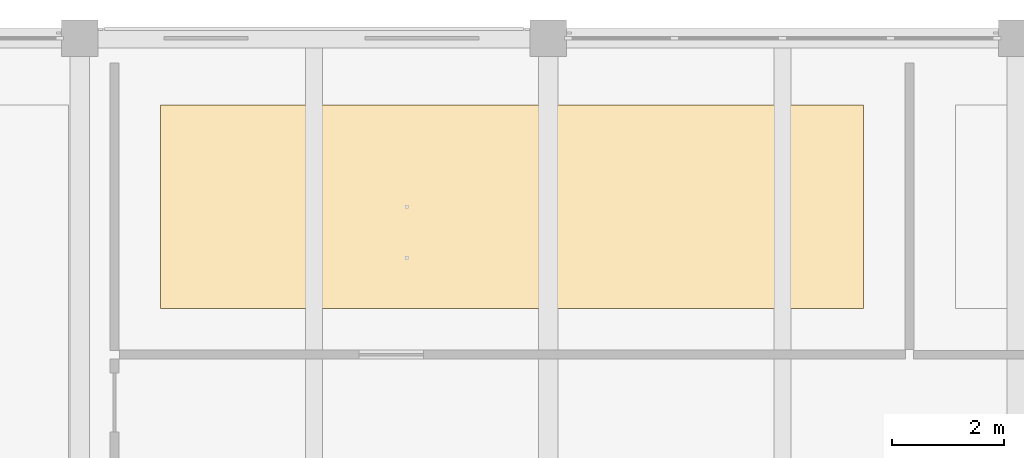
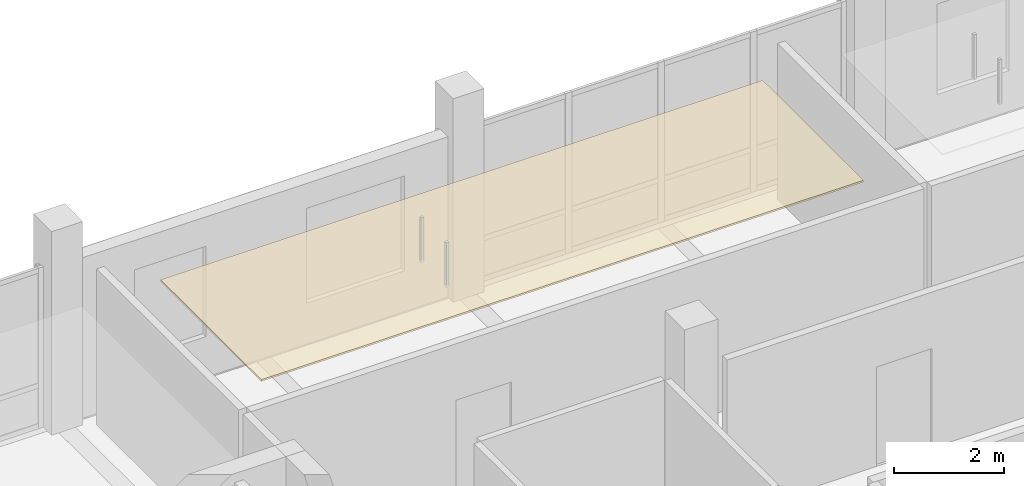
# One storey, part 21 of 28: 1 covering.
"""IFC4 building model written with IfcOpenShell, lengths in metres."""

from ifc_helpers import new_model, si_unit, direction, frame, origin, place, context, subcontext, project, spatial, polyline, outline, extrude, material, layer, layer_set, type_object, element, save


model = new_model("IFC4")

# Units and contexts
model_context = context("Model", 3, precision=1e-05, world=origin(), true_north=direction((0.0, 1.0)))
body_context = subcontext(model_context, "Body", "Model", "MODEL_VIEW")
ifc_project = project(units=[si_unit("LENGTHUNIT", "METRE"), si_unit("AREAUNIT", "SQUARE_METRE"), si_unit("VOLUMEUNIT", "CUBIC_METRE"), si_unit("PLANEANGLEUNIT", "RADIAN"), si_unit("MASSUNIT", "GRAM", prefix="KILO")], contexts=[model_context])

# Site, building, storey
site_placement = place(None, origin())
site = spatial("IfcSite", under=ifc_project, at=site_placement, CompositionType="ELEMENT")
building_placement = place(site_placement, origin())
building = spatial("IfcBuilding", under=site, at=building_placement, Name="Telukmera Botanical Conservatory", CompositionType="ELEMENT")
storey_placement = place(building_placement, frame((0.0, 0.0, 51.0)))
storey = spatial("IfcBuildingStorey", under=building, at=storey_placement, Name="L11", CompositionType="ELEMENT", Elevation=51.0)

# Covering
ifc_material = material(Name="Perforated gypsum acoustic ceiling")
ifc_layer = layer(ifc_material, 0.0400390625)
ifc_layer_set = layer_set([ifc_layer], Name="Perforated gypsum acoustic ceiling")
covering_type = type_object("IfcCoveringType", Name="COV-CEIL-40", PredefinedType="CEILING", material=ifc_layer_set)
covering_placement = place(storey_placement, frame((0.0, 0.0, 3.31005859375)))
element("IfcCovering", 1, at=covering_placement, inside=storey, type_object=covering_type, Name="L11 Alkaloid Extraction Laboratory Suspended Acoustic Ceiling", PredefinedType="CEILING", context=body_context, shape_type="SweptSolid", body=[
    extrude(outline(polyline([(68.64990234375, 37.949951171875), (81.25, 37.949951171875), (81.25, 41.60009765625), (68.64990234375, 41.60009765625), (68.64990234375, 37.949951171875)])), origin(), (0.0, 0.0, 1.0), 0.0400390625),
])

save(model, "model.ifc")
